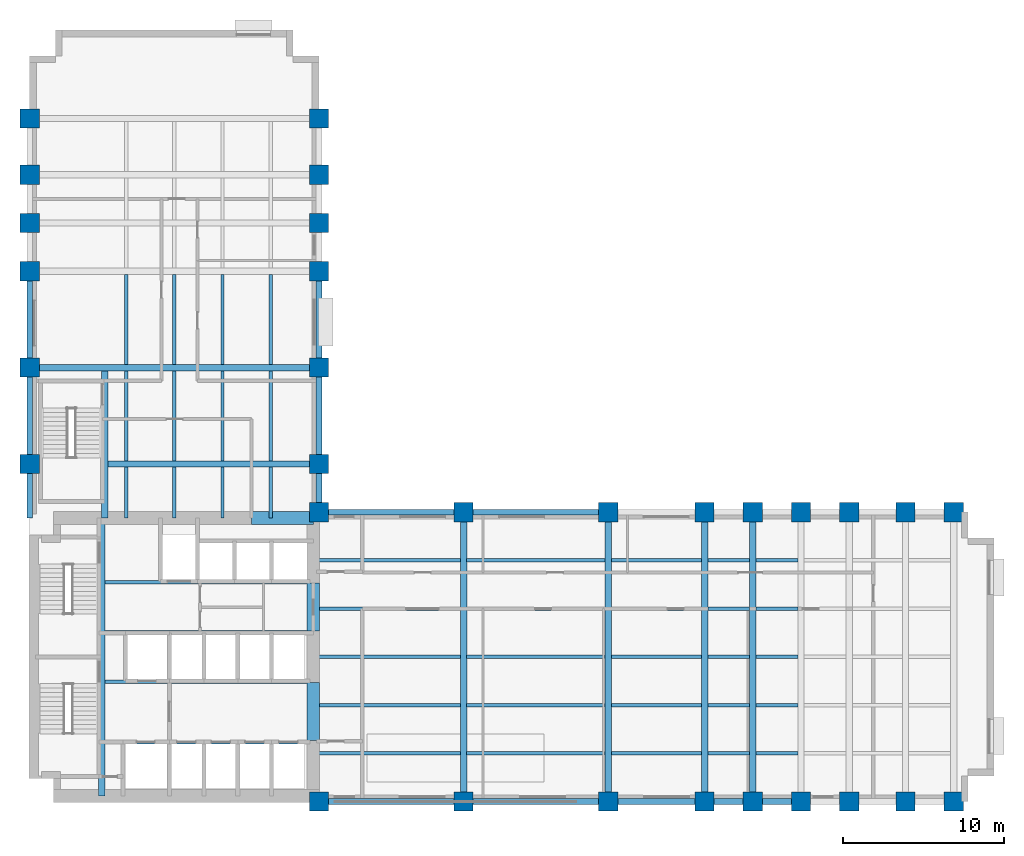
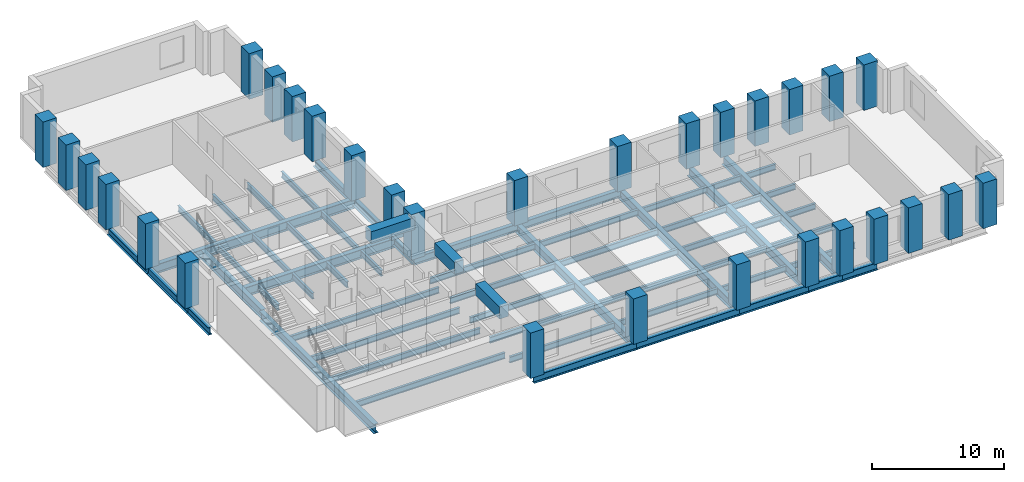
# One storey, part 1 of 8: 65 beams, 30 columns.
"""IFC4 building model written with IfcOpenShell, lengths in metres."""

from ifc_helpers import new_model, si_unit, direction, frame, origin, origin_2d, place, context, subcontext, project, spatial, rectangle, i_section, extrude, material, material_profile, profile_set, type_object, element, save


model = new_model("IFC4")

# Units and contexts
model_context = context("Model", 3, precision=1e-05, world=origin(), true_north=direction((0.0, 1.0)))
body_context = subcontext(model_context, "Body", "Model", "MODEL_VIEW")
ifc_project = project(units=[si_unit("LENGTHUNIT", "METRE"), si_unit("AREAUNIT", "SQUARE_METRE"), si_unit("VOLUMEUNIT", "CUBIC_METRE"), si_unit("PLANEANGLEUNIT", "RADIAN"), si_unit("MASSUNIT", "GRAM", prefix="KILO")], contexts=[model_context])

# Site, building, storey
site_placement = place(None, origin())
site = spatial("IfcSite", under=ifc_project, at=site_placement, CompositionType="ELEMENT")
building_placement = place(site_placement, origin())
building = spatial("IfcBuilding", under=site, at=building_placement, Name="Mawjdan Bourse Tower", CompositionType="ELEMENT")
storey_placement = place(building_placement, frame((0.0, 0.0, 63.60009765625)))
storey = spatial("IfcBuildingStorey", under=building, at=storey_placement, Name="L14", CompositionType="ELEMENT", Elevation=63.60009765625)

# Columns
ifc_material_1 = material(Name="Concrete C80/95", Category="concrete")
ifc_material_profile_1 = material_profile(ifc_material_1, rectangle(XDim=1.199951171875, YDim=1.199951171875, at=origin_2d()), Name="RC1200X1200")
ifc_profile_set_1 = profile_set([ifc_material_profile_1], Name="Concrete C80/95")
column_type = type_object("IfcColumnType", Name="COL-RC1200X1200", PredefinedType="COLUMN", material=ifc_profile_set_1)
for number, where, z_axis, x_axis, name in (
    (1, (24.0, 3.0, 0.0), (0.0, 0.0, 1.0), (1.0, 0.0, 0.0), "L14 Structural Column C-X240-Y30"),
    (2, (24.0, 21.0, 0.0), (0.0, 0.0, 1.0), (1.0, 0.0, 0.0), "L14 Structural Column C-X240-Y210"),
    (3, (33.0, 3.0, 0.0), (0.0, 0.0, 1.0), (1.0, 0.0, 0.0), "L14 Structural Column C-X330-Y30"),
    (4, (33.0, 21.0, 0.0), (0.0, 0.0, 1.0), (1.0, 0.0, 0.0), "L14 Structural Column C-X330-Y210"),
    (5, (42.0, 3.0, 0.0), (0.0, 0.0, 1.0), (1.0, 0.0, 0.0), "L14 Structural Column C-X420-Y30"),
    (6, (42.0, 21.0, 0.0), (0.0, 0.0, 1.0), (1.0, 0.0, 0.0), "L14 Structural Column C-X420-Y210"),
    (7, (48.0, 3.0, 0.0), (0.0, 0.0, 1.0), (1.0, 0.0, 0.0), "L14 Structural Column C-X480-Y30"),
    (8, (48.0, 21.0, 0.0), (0.0, 0.0, 1.0), (1.0, 0.0, 0.0), "L14 Structural Column C-X480-Y210"),
    (9, (51.0, 3.0, 0.0), (0.0, 0.0, 1.0), (1.0, 0.0, 0.0), "L14 Structural Column C-X510-Y30"),
    (10, (51.0, 21.0, 0.0), (0.0, 0.0, 1.0), (1.0, 0.0, 0.0), "L14 Structural Column C-X510-Y210"),
    (11, (54.0, 3.0, 0.0), (0.0, 0.0, 1.0), (1.0, 0.0, 0.0), "L14 Structural Column C-X540-Y30"),
    (12, (54.0, 21.0, 0.0), (0.0, 0.0, 1.0), (1.0, 0.0, 0.0), "L14 Structural Column C-X540-Y210"),
    (13, (57.0, 3.0, 0.0), (0.0, 0.0, 1.0), (1.0, 0.0, 0.0), "L14 Structural Column C-X570-Y30"),
    (14, (57.0, 21.0, 0.0), (0.0, 0.0, 1.0), (1.0, 0.0, 0.0), "L14 Structural Column C-X570-Y210"),
    (15, (60.5, 3.0, 0.0), (0.0, 0.0, 1.0), (1.0, 0.0, 0.0), "L14 Structural Column C-X605-Y30"),
    (16, (60.5, 21.0, 0.0), (0.0, 0.0, 1.0), (1.0, 0.0, 0.0), "L14 Structural Column C-X605-Y210"),
    (17, (63.5, 3.0, 0.0), (0.0, 0.0, 1.0), (1.0, 0.0, 0.0), "L14 Structural Column C-X635-Y30"),
    (18, (63.5, 21.0, 0.0), (0.0, 0.0, 1.0), (1.0, 0.0, 0.0), "L14 Structural Column C-X635-Y210"),
    (19, (6.0, 24.0, 0.0), (0.0, 0.0, 1.0), (1.0, 0.0, 0.0), "L14 Structural Column C-X60-Y240"),
    (20, (24.0, 24.0, 0.0), (0.0, 0.0, 1.0), (1.0, 0.0, 0.0), "L14 Structural Column C-X240-Y240"),
    (21, (6.0, 30.0, 0.0), (0.0, 0.0, 1.0), (1.0, 0.0, 0.0), "L14 Structural Column C-X60-Y300"),
    (22, (24.0, 30.0, 0.0), (0.0, 0.0, 1.0), (1.0, 0.0, 0.0), "L14 Structural Column C-X240-Y300"),
    (23, (6.0, 36.0, 0.0), (0.0, 0.0, 1.0), (1.0, 0.0, 0.0), "L14 Structural Column C-X60-Y360"),
    (24, (24.0, 36.0, 0.0), (0.0, 0.0, 1.0), (1.0, 0.0, 0.0), "L14 Structural Column C-X240-Y360"),
    (25, (6.0, 39.0, 0.0), (0.0, 0.0, 1.0), (1.0, 0.0, 0.0), "L14 Structural Column C-X60-Y390"),
    (26, (24.0, 39.0, 0.0), (0.0, 0.0, 1.0), (1.0, 0.0, 0.0), "L14 Structural Column C-X240-Y390"),
    (27, (6.0, 42.0, 0.0), (0.0, 0.0, 1.0), (1.0, 0.0, 0.0), "L14 Structural Column C-X60-Y420"),
    (28, (24.0, 42.0, 0.0), (0.0, 0.0, 1.0), (1.0, 0.0, 0.0), "L14 Structural Column C-X240-Y420"),
    (29, (6.0, 45.5, 0.0), (0.0, 0.0, 1.0), (1.0, 0.0, 0.0), "L14 Structural Column C-X60-Y455"),
    (30, (24.0, 45.5, 0.0), (0.0, 0.0, 1.0), (1.0, 0.0, 0.0), "L14 Structural Column C-X240-Y455"),
):
    element("IfcColumn", number, at=place(storey_placement, frame(where, z_axis=z_axis, x_axis=x_axis)), inside=storey, type_object=column_type, Name=name, PredefinedType="COLUMN", context=body_context, shape_type="SweptSolid", body=[
        extrude(rectangle(XDim=1.199951171875, YDim=1.199951171875, at=origin_2d()), origin(), (0.0, 0.0, 1.0), 4.199951171875),
    ])

# Beams
ifc_material_2 = material(Name="Structural Steel S355", Category="steel")
ifc_material_profile_2 = material_profile(ifc_material_2, i_section(OverallWidth=0.39892578125, OverallDepth=0.85595703125, WebThickness=0.018310546875, FlangeThickness=0.029296875, FilletRadius=0.0234375, at=origin_2d()), Name="W33X201")
ifc_profile_set_2 = profile_set([ifc_material_profile_2], Name="Structural Steel S355")
beam_type_1 = type_object("IfcBeamType", Name="GRD-W33X201", PredefinedType="BEAM", material=ifc_profile_set_2)
beam_1_placement = place(storey_placement, frame((10.47998046875, 3.35009765625, -0.648193359375), z_axis=(0.0, 1.0, 0.0), x_axis=(-1.0, 0.0, 0.0)))
element("IfcBeam", 31, at=beam_1_placement, inside=storey, type_object=beam_type_1, Name="L14 Core Stair Trimmer Girder 001", PredefinedType="BEAM", context=body_context, shape_type="SweptSolid", body=[
    extrude(i_section(OverallWidth=0.39892578125, OverallDepth=0.85595703125, WebThickness=0.018310546875, FlangeThickness=0.029296875, FilletRadius=0.0234375, at=origin_2d()), origin(), (0.0, 0.0, 1.0), 17.2998046875),
])
for number, where, z_axis, x_axis, name in (
    (32, (33.0, 3.0, -0.648193359375), (0.0, 1.0, 0.0), (-1.0, 0.0, 0.0), "L14 East Wing Clear-Span Girder 002"),
    (33, (42.0, 3.0, -0.648193359375), (0.0, 1.0, 0.0), (-1.0, 0.0, 0.0), "L14 East Wing Clear-Span Girder 003"),
    (34, (48.0, 3.0, -0.648193359375), (0.0, 1.0, 0.0), (-1.0, 0.0, 0.0), "L14 East Wing Clear-Span Girder 004"),
    (35, (51.0, 3.0, -0.648193359375), (0.0, 1.0, 0.0), (-1.0, 0.0, 0.0), "L14 East Wing Clear-Span Girder 005"),
):
    element("IfcBeam", number, at=place(storey_placement, frame(where, z_axis=z_axis, x_axis=x_axis)), inside=storey, type_object=beam_type_1, Name=name, PredefinedType="BEAM", context=body_context, shape_type="SweptSolid", body=[
        extrude(i_section(OverallWidth=0.39892578125, OverallDepth=0.85595703125, WebThickness=0.018310546875, FlangeThickness=0.029296875, FilletRadius=0.0234375, at=origin_2d()), origin(), (0.0, 0.0, 1.0), 18.0),
    ])
beam_2_placement = place(storey_placement, frame((10.679931640625, 20.64990234375, -0.648193359375), z_axis=(0.0, 1.0, 0.0), x_axis=(-1.0, 0.0, 0.0)))
element("IfcBeam", 36, at=beam_2_placement, inside=storey, type_object=beam_type_1, Name="L14 North Wing Stair Trimmer Girder 070", PredefinedType="BEAM", context=body_context, shape_type="SweptSolid", body=[
    extrude(i_section(OverallWidth=0.39892578125, OverallDepth=0.85595703125, WebThickness=0.018310546875, FlangeThickness=0.029296875, FilletRadius=0.0234375, at=origin_2d()), origin(), (0.0, 0.0, 1.0), 9.152587890625),
])
beam_3_placement = place(storey_placement, frame((10.87744140625, 24.0, -0.648193359375), z_axis=(1.0, 0.0, 0.0), x_axis=(0.0, 1.0, 0.0)))
element("IfcBeam", 37, at=beam_3_placement, inside=storey, type_object=beam_type_1, Name="L14 North Wing Clear-Span Girder 071", PredefinedType="BEAM", context=body_context, shape_type="SweptSolid", body=[
    extrude(i_section(OverallWidth=0.39892578125, OverallDepth=0.85595703125, WebThickness=0.018310546875, FlangeThickness=0.029296875, FilletRadius=0.0234375, at=origin_2d()), origin(), (0.0, 0.0, 1.0), 13.12255859375),
])
beam_4_placement = place(storey_placement, frame((6.0, 30.0, -0.648193359375), z_axis=(1.0, 0.0, 0.0), x_axis=(0.0, 1.0, 0.0)))
element("IfcBeam", 38, at=beam_4_placement, inside=storey, type_object=beam_type_1, Name="L14 North Wing Clear-Span Girder 072", PredefinedType="BEAM", context=body_context, shape_type="SweptSolid", body=[
    extrude(i_section(OverallWidth=0.39892578125, OverallDepth=0.85595703125, WebThickness=0.018310546875, FlangeThickness=0.029296875, FilletRadius=0.0234375, at=origin_2d()), origin(), (0.0, 0.0, 1.0), 18.0),
])
ifc_material_profile_3 = material_profile(ifc_material_2, i_section(OverallWidth=0.2119140625, OverallDepth=0.5439453125, WebThickness=0.01318359375, FlangeThickness=0.021240234375, FilletRadius=0.01708984375, at=origin_2d()), Name="W21X83")
ifc_profile_set_3 = profile_set([ifc_material_profile_3], Name="Structural Steel S355")
beam_type_2 = type_object("IfcBeamType", Name="JST-W21X83", PredefinedType="JOIST", material=ifc_profile_set_3)
beam_5_placement = place(storey_placement, frame((23.64990234375, 6.0, -0.4921875), z_axis=(1.0, 0.0, 0.0), x_axis=(0.0, 1.0, 0.0)))
element("IfcBeam", 39, at=beam_5_placement, inside=storey, type_object=beam_type_2, Name="L14 East Wing Composite Joist 026", PredefinedType="JOIST", context=body_context, shape_type="SweptSolid", body=[
    extrude(i_section(OverallWidth=0.2119140625, OverallDepth=0.5439453125, WebThickness=0.01318359375, FlangeThickness=0.021240234375, FilletRadius=0.01708984375, at=origin_2d()), origin(), (0.0, 0.0, 1.0), 9.152587890625),
])
beam_6_placement = place(storey_placement, frame((33.197509765625, 6.0, -0.4921875), z_axis=(1.0, 0.0, 0.0), x_axis=(0.0, 1.0, 0.0)))
element("IfcBeam", 40, at=beam_6_placement, inside=storey, type_object=beam_type_2, Name="L14 East Wing Composite Joist 027", PredefinedType="JOIST", context=body_context, shape_type="SweptSolid", body=[
    extrude(i_section(OverallWidth=0.2119140625, OverallDepth=0.5439453125, WebThickness=0.01318359375, FlangeThickness=0.021240234375, FilletRadius=0.01708984375, at=origin_2d()), origin(), (0.0, 0.0, 1.0), 8.60498046875),
])
beam_7_placement = place(storey_placement, frame((42.197509765625, 6.0, -0.4921875), z_axis=(1.0, 0.0, 0.0), x_axis=(0.0, 1.0, 0.0)))
element("IfcBeam", 41, at=beam_7_placement, inside=storey, type_object=beam_type_2, Name="L14 East Wing Composite Joist 028", PredefinedType="JOIST", context=body_context, shape_type="SweptSolid", body=[
    extrude(i_section(OverallWidth=0.2119140625, OverallDepth=0.5439453125, WebThickness=0.01318359375, FlangeThickness=0.021240234375, FilletRadius=0.01708984375, at=origin_2d()), origin(), (0.0, 0.0, 1.0), 5.60498046875),
])
for number, where, z_axis, x_axis, name in (
    (42, (48.197509765625, 6.0, -0.4921875), (1.0, 0.0, 0.0), (0.0, 1.0, 0.0), "L14 East Wing Composite Joist 029"),
    (43, (51.197509765625, 6.0, -0.4921875), (1.0, 0.0, 0.0), (0.0, 1.0, 0.0), "L14 East Wing Composite Joist 030"),
):
    element("IfcBeam", number, at=place(storey_placement, frame(where, z_axis=z_axis, x_axis=x_axis)), inside=storey, type_object=beam_type_2, Name=name, PredefinedType="JOIST", context=body_context, shape_type="SweptSolid", body=[
        extrude(i_section(OverallWidth=0.2119140625, OverallDepth=0.5439453125, WebThickness=0.01318359375, FlangeThickness=0.021240234375, FilletRadius=0.01708984375, at=origin_2d()), origin(), (0.0, 0.0, 1.0), 2.60498046875),
    ])
beam_8_placement = place(storey_placement, frame((23.64990234375, 9.0, -0.4921875), z_axis=(1.0, 0.0, 0.0), x_axis=(0.0, 1.0, 0.0)))
element("IfcBeam", 44, at=beam_8_placement, inside=storey, type_object=beam_type_2, Name="L14 East Wing Composite Joist 034", PredefinedType="JOIST", context=body_context, shape_type="SweptSolid", body=[
    extrude(i_section(OverallWidth=0.2119140625, OverallDepth=0.5439453125, WebThickness=0.01318359375, FlangeThickness=0.021240234375, FilletRadius=0.01708984375, at=origin_2d()), origin(), (0.0, 0.0, 1.0), 9.152587890625),
])
beam_9_placement = place(storey_placement, frame((33.197509765625, 9.0, -0.4921875), z_axis=(1.0, 0.0, 0.0), x_axis=(0.0, 1.0, 0.0)))
element("IfcBeam", 45, at=beam_9_placement, inside=storey, type_object=beam_type_2, Name="L14 East Wing Composite Joist 035", PredefinedType="JOIST", context=body_context, shape_type="SweptSolid", body=[
    extrude(i_section(OverallWidth=0.2119140625, OverallDepth=0.5439453125, WebThickness=0.01318359375, FlangeThickness=0.021240234375, FilletRadius=0.01708984375, at=origin_2d()), origin(), (0.0, 0.0, 1.0), 8.60498046875),
])
beam_10_placement = place(storey_placement, frame((42.197509765625, 9.0, -0.4921875), z_axis=(1.0, 0.0, 0.0), x_axis=(0.0, 1.0, 0.0)))
element("IfcBeam", 46, at=beam_10_placement, inside=storey, type_object=beam_type_2, Name="L14 East Wing Composite Joist 036", PredefinedType="JOIST", context=body_context, shape_type="SweptSolid", body=[
    extrude(i_section(OverallWidth=0.2119140625, OverallDepth=0.5439453125, WebThickness=0.01318359375, FlangeThickness=0.021240234375, FilletRadius=0.01708984375, at=origin_2d()), origin(), (0.0, 0.0, 1.0), 5.60498046875),
])
for number, where, z_axis, x_axis, name in (
    (47, (48.197509765625, 9.0, -0.4921875), (1.0, 0.0, 0.0), (0.0, 1.0, 0.0), "L14 East Wing Composite Joist 037"),
    (48, (51.197509765625, 9.0, -0.4921875), (1.0, 0.0, 0.0), (0.0, 1.0, 0.0), "L14 East Wing Composite Joist 038"),
):
    element("IfcBeam", number, at=place(storey_placement, frame(where, z_axis=z_axis, x_axis=x_axis)), inside=storey, type_object=beam_type_2, Name=name, PredefinedType="JOIST", context=body_context, shape_type="SweptSolid", body=[
        extrude(i_section(OverallWidth=0.2119140625, OverallDepth=0.5439453125, WebThickness=0.01318359375, FlangeThickness=0.021240234375, FilletRadius=0.01708984375, at=origin_2d()), origin(), (0.0, 0.0, 1.0), 2.60498046875),
    ])
beam_11_placement = place(storey_placement, frame((23.64990234375, 12.0, -0.4921875), z_axis=(1.0, 0.0, 0.0), x_axis=(0.0, 1.0, 0.0)))
element("IfcBeam", 49, at=beam_11_placement, inside=storey, type_object=beam_type_2, Name="L14 East Wing Composite Joist 042", PredefinedType="JOIST", context=body_context, shape_type="SweptSolid", body=[
    extrude(i_section(OverallWidth=0.2119140625, OverallDepth=0.5439453125, WebThickness=0.01318359375, FlangeThickness=0.021240234375, FilletRadius=0.01708984375, at=origin_2d()), origin(), (0.0, 0.0, 1.0), 9.152587890625),
])
beam_12_placement = place(storey_placement, frame((33.197509765625, 12.0, -0.4921875), z_axis=(1.0, 0.0, 0.0), x_axis=(0.0, 1.0, 0.0)))
element("IfcBeam", 50, at=beam_12_placement, inside=storey, type_object=beam_type_2, Name="L14 East Wing Composite Joist 043", PredefinedType="JOIST", context=body_context, shape_type="SweptSolid", body=[
    extrude(i_section(OverallWidth=0.2119140625, OverallDepth=0.5439453125, WebThickness=0.01318359375, FlangeThickness=0.021240234375, FilletRadius=0.01708984375, at=origin_2d()), origin(), (0.0, 0.0, 1.0), 8.60498046875),
])
beam_13_placement = place(storey_placement, frame((42.197509765625, 12.0, -0.4921875), z_axis=(1.0, 0.0, 0.0), x_axis=(0.0, 1.0, 0.0)))
element("IfcBeam", 51, at=beam_13_placement, inside=storey, type_object=beam_type_2, Name="L14 East Wing Composite Joist 044", PredefinedType="JOIST", context=body_context, shape_type="SweptSolid", body=[
    extrude(i_section(OverallWidth=0.2119140625, OverallDepth=0.5439453125, WebThickness=0.01318359375, FlangeThickness=0.021240234375, FilletRadius=0.01708984375, at=origin_2d()), origin(), (0.0, 0.0, 1.0), 5.60498046875),
])
for number, where, z_axis, x_axis, name in (
    (52, (48.197509765625, 12.0, -0.4921875), (1.0, 0.0, 0.0), (0.0, 1.0, 0.0), "L14 East Wing Composite Joist 045"),
    (53, (51.197509765625, 12.0, -0.4921875), (1.0, 0.0, 0.0), (0.0, 1.0, 0.0), "L14 East Wing Composite Joist 046"),
):
    element("IfcBeam", number, at=place(storey_placement, frame(where, z_axis=z_axis, x_axis=x_axis)), inside=storey, type_object=beam_type_2, Name=name, PredefinedType="JOIST", context=body_context, shape_type="SweptSolid", body=[
        extrude(i_section(OverallWidth=0.2119140625, OverallDepth=0.5439453125, WebThickness=0.01318359375, FlangeThickness=0.021240234375, FilletRadius=0.01708984375, at=origin_2d()), origin(), (0.0, 0.0, 1.0), 2.60498046875),
    ])
beam_14_placement = place(storey_placement, frame((23.64990234375, 15.0, -0.4921875), z_axis=(1.0, 0.0, 0.0), x_axis=(0.0, 1.0, 0.0)))
element("IfcBeam", 54, at=beam_14_placement, inside=storey, type_object=beam_type_2, Name="L14 East Wing Composite Joist 050", PredefinedType="JOIST", context=body_context, shape_type="SweptSolid", body=[
    extrude(i_section(OverallWidth=0.2119140625, OverallDepth=0.5439453125, WebThickness=0.01318359375, FlangeThickness=0.021240234375, FilletRadius=0.01708984375, at=origin_2d()), origin(), (0.0, 0.0, 1.0), 9.152587890625),
])
beam_15_placement = place(storey_placement, frame((33.197509765625, 15.0, -0.4921875), z_axis=(1.0, 0.0, 0.0), x_axis=(0.0, 1.0, 0.0)))
element("IfcBeam", 55, at=beam_15_placement, inside=storey, type_object=beam_type_2, Name="L14 East Wing Composite Joist 051", PredefinedType="JOIST", context=body_context, shape_type="SweptSolid", body=[
    extrude(i_section(OverallWidth=0.2119140625, OverallDepth=0.5439453125, WebThickness=0.01318359375, FlangeThickness=0.021240234375, FilletRadius=0.01708984375, at=origin_2d()), origin(), (0.0, 0.0, 1.0), 8.60498046875),
])
beam_16_placement = place(storey_placement, frame((42.197509765625, 15.0, -0.4921875), z_axis=(1.0, 0.0, 0.0), x_axis=(0.0, 1.0, 0.0)))
element("IfcBeam", 56, at=beam_16_placement, inside=storey, type_object=beam_type_2, Name="L14 East Wing Composite Joist 052", PredefinedType="JOIST", context=body_context, shape_type="SweptSolid", body=[
    extrude(i_section(OverallWidth=0.2119140625, OverallDepth=0.5439453125, WebThickness=0.01318359375, FlangeThickness=0.021240234375, FilletRadius=0.01708984375, at=origin_2d()), origin(), (0.0, 0.0, 1.0), 5.60498046875),
])
for number, where, z_axis, x_axis, name in (
    (57, (48.197509765625, 15.0, -0.4921875), (1.0, 0.0, 0.0), (0.0, 1.0, 0.0), "L14 East Wing Composite Joist 053"),
    (58, (51.197509765625, 15.0, -0.4921875), (1.0, 0.0, 0.0), (0.0, 1.0, 0.0), "L14 East Wing Composite Joist 054"),
):
    element("IfcBeam", number, at=place(storey_placement, frame(where, z_axis=z_axis, x_axis=x_axis)), inside=storey, type_object=beam_type_2, Name=name, PredefinedType="JOIST", context=body_context, shape_type="SweptSolid", body=[
        extrude(i_section(OverallWidth=0.2119140625, OverallDepth=0.5439453125, WebThickness=0.01318359375, FlangeThickness=0.021240234375, FilletRadius=0.01708984375, at=origin_2d()), origin(), (0.0, 0.0, 1.0), 2.60498046875),
    ])
beam_17_placement = place(storey_placement, frame((23.64990234375, 18.0, -0.4921875), z_axis=(1.0, 0.0, 0.0), x_axis=(0.0, 1.0, 0.0)))
element("IfcBeam", 59, at=beam_17_placement, inside=storey, type_object=beam_type_2, Name="L14 East Wing Composite Joist 058", PredefinedType="JOIST", context=body_context, shape_type="SweptSolid", body=[
    extrude(i_section(OverallWidth=0.2119140625, OverallDepth=0.5439453125, WebThickness=0.01318359375, FlangeThickness=0.021240234375, FilletRadius=0.01708984375, at=origin_2d()), origin(), (0.0, 0.0, 1.0), 9.152587890625),
])
beam_18_placement = place(storey_placement, frame((33.197509765625, 18.0, -0.4921875), z_axis=(1.0, 0.0, 0.0), x_axis=(0.0, 1.0, 0.0)))
element("IfcBeam", 60, at=beam_18_placement, inside=storey, type_object=beam_type_2, Name="L14 East Wing Composite Joist 059", PredefinedType="JOIST", context=body_context, shape_type="SweptSolid", body=[
    extrude(i_section(OverallWidth=0.2119140625, OverallDepth=0.5439453125, WebThickness=0.01318359375, FlangeThickness=0.021240234375, FilletRadius=0.01708984375, at=origin_2d()), origin(), (0.0, 0.0, 1.0), 8.60498046875),
])
beam_19_placement = place(storey_placement, frame((42.197509765625, 18.0, -0.4921875), z_axis=(1.0, 0.0, 0.0), x_axis=(0.0, 1.0, 0.0)))
element("IfcBeam", 61, at=beam_19_placement, inside=storey, type_object=beam_type_2, Name="L14 East Wing Composite Joist 060", PredefinedType="JOIST", context=body_context, shape_type="SweptSolid", body=[
    extrude(i_section(OverallWidth=0.2119140625, OverallDepth=0.5439453125, WebThickness=0.01318359375, FlangeThickness=0.021240234375, FilletRadius=0.01708984375, at=origin_2d()), origin(), (0.0, 0.0, 1.0), 5.60498046875),
])
for number, where, z_axis, x_axis, name in (
    (62, (48.197509765625, 18.0, -0.4921875), (1.0, 0.0, 0.0), (0.0, 1.0, 0.0), "L14 East Wing Composite Joist 061"),
    (63, (51.197509765625, 18.0, -0.4921875), (1.0, 0.0, 0.0), (0.0, 1.0, 0.0), "L14 East Wing Composite Joist 062"),
):
    element("IfcBeam", number, at=place(storey_placement, frame(where, z_axis=z_axis, x_axis=x_axis)), inside=storey, type_object=beam_type_2, Name=name, PredefinedType="JOIST", context=body_context, shape_type="SweptSolid", body=[
        extrude(i_section(OverallWidth=0.2119140625, OverallDepth=0.5439453125, WebThickness=0.01318359375, FlangeThickness=0.021240234375, FilletRadius=0.01708984375, at=origin_2d()), origin(), (0.0, 0.0, 1.0), 2.60498046875),
    ])
for number, where, z_axis, x_axis, name in (
    (64, (10.677490234375, 6.699951171875, -0.4921875), (1.0, 0.0, 0.0), (0.0, 1.0, 0.0), "L14 Core Floor Joist 066"),
    (65, (10.677490234375, 10.449951171875, -0.4921875), (1.0, 0.0, 0.0), (0.0, 1.0, 0.0), "L14 Core Floor Joist 067"),
    (66, (10.677490234375, 13.550048828125, -0.4921875), (1.0, 0.0, 0.0), (0.0, 1.0, 0.0), "L14 Core Floor Joist 068"),
    (67, (10.677490234375, 16.64990234375, -0.4921875), (1.0, 0.0, 0.0), (0.0, 1.0, 0.0), "L14 Core Floor Joist 069"),
):
    element("IfcBeam", number, at=place(storey_placement, frame(where, z_axis=z_axis, x_axis=x_axis)), inside=storey, type_object=beam_type_2, Name=name, PredefinedType="JOIST", context=body_context, shape_type="SweptSolid", body=[
        extrude(i_section(OverallWidth=0.2119140625, OverallDepth=0.5439453125, WebThickness=0.01318359375, FlangeThickness=0.021240234375, FilletRadius=0.01708984375, at=origin_2d()), origin(), (0.0, 0.0, 1.0), 12.972412109375),
    ])
beam_20_placement = place(storey_placement, frame((12.0, 20.64990234375, -0.4921875), z_axis=(0.0, 1.0, 0.0), x_axis=(-1.0, 0.0, 0.0)))
element("IfcBeam", 68, at=beam_20_placement, inside=storey, type_object=beam_type_2, Name="L14 North Wing Composite Joist 089", PredefinedType="JOIST", context=body_context, shape_type="SweptSolid", body=[
    extrude(i_section(OverallWidth=0.2119140625, OverallDepth=0.5439453125, WebThickness=0.01318359375, FlangeThickness=0.021240234375, FilletRadius=0.01708984375, at=origin_2d()), origin(), (0.0, 0.0, 1.0), 3.152587890625),
])
for number, where, z_axis, x_axis, name in (
    (69, (12.0, 24.197509765625, -0.4921875), (0.0, 1.0, 0.0), (-1.0, 0.0, 0.0), "L14 North Wing Composite Joist 090"),
    (70, (12.0, 30.197509765625, -0.4921875), (0.0, 1.0, 0.0), (-1.0, 0.0, 0.0), "L14 North Wing Composite Joist 091"),
):
    element("IfcBeam", number, at=place(storey_placement, frame(where, z_axis=z_axis, x_axis=x_axis)), inside=storey, type_object=beam_type_2, Name=name, PredefinedType="JOIST", context=body_context, shape_type="SweptSolid", body=[
        extrude(i_section(OverallWidth=0.2119140625, OverallDepth=0.5439453125, WebThickness=0.01318359375, FlangeThickness=0.021240234375, FilletRadius=0.01708984375, at=origin_2d()), origin(), (0.0, 0.0, 1.0), 5.60498046875),
    ])
beam_21_placement = place(storey_placement, frame((15.0, 20.64990234375, -0.4921875), z_axis=(0.0, 1.0, 0.0), x_axis=(-1.0, 0.0, 0.0)))
element("IfcBeam", 71, at=beam_21_placement, inside=storey, type_object=beam_type_2, Name="L14 North Wing Composite Joist 095", PredefinedType="JOIST", context=body_context, shape_type="SweptSolid", body=[
    extrude(i_section(OverallWidth=0.2119140625, OverallDepth=0.5439453125, WebThickness=0.01318359375, FlangeThickness=0.021240234375, FilletRadius=0.01708984375, at=origin_2d()), origin(), (0.0, 0.0, 1.0), 3.152587890625),
])
for number, where, z_axis, x_axis, name in (
    (72, (15.0, 24.197509765625, -0.4921875), (0.0, 1.0, 0.0), (-1.0, 0.0, 0.0), "L14 North Wing Composite Joist 096"),
    (73, (15.0, 30.197509765625, -0.4921875), (0.0, 1.0, 0.0), (-1.0, 0.0, 0.0), "L14 North Wing Composite Joist 097"),
):
    element("IfcBeam", number, at=place(storey_placement, frame(where, z_axis=z_axis, x_axis=x_axis)), inside=storey, type_object=beam_type_2, Name=name, PredefinedType="JOIST", context=body_context, shape_type="SweptSolid", body=[
        extrude(i_section(OverallWidth=0.2119140625, OverallDepth=0.5439453125, WebThickness=0.01318359375, FlangeThickness=0.021240234375, FilletRadius=0.01708984375, at=origin_2d()), origin(), (0.0, 0.0, 1.0), 5.60498046875),
    ])
beam_22_placement = place(storey_placement, frame((18.0, 20.64990234375, -0.4921875), z_axis=(0.0, 1.0, 0.0), x_axis=(-1.0, 0.0, 0.0)))
element("IfcBeam", 74, at=beam_22_placement, inside=storey, type_object=beam_type_2, Name="L14 North Wing Composite Joist 101", PredefinedType="JOIST", context=body_context, shape_type="SweptSolid", body=[
    extrude(i_section(OverallWidth=0.2119140625, OverallDepth=0.5439453125, WebThickness=0.01318359375, FlangeThickness=0.021240234375, FilletRadius=0.01708984375, at=origin_2d()), origin(), (0.0, 0.0, 1.0), 3.152587890625),
])
for number, where, z_axis, x_axis, name in (
    (75, (18.0, 24.197509765625, -0.4921875), (0.0, 1.0, 0.0), (-1.0, 0.0, 0.0), "L14 North Wing Composite Joist 102"),
    (76, (18.0, 30.197509765625, -0.4921875), (0.0, 1.0, 0.0), (-1.0, 0.0, 0.0), "L14 North Wing Composite Joist 103"),
):
    element("IfcBeam", number, at=place(storey_placement, frame(where, z_axis=z_axis, x_axis=x_axis)), inside=storey, type_object=beam_type_2, Name=name, PredefinedType="JOIST", context=body_context, shape_type="SweptSolid", body=[
        extrude(i_section(OverallWidth=0.2119140625, OverallDepth=0.5439453125, WebThickness=0.01318359375, FlangeThickness=0.021240234375, FilletRadius=0.01708984375, at=origin_2d()), origin(), (0.0, 0.0, 1.0), 5.60498046875),
    ])
beam_23_placement = place(storey_placement, frame((21.0, 20.64990234375, -0.4921875), z_axis=(0.0, 1.0, 0.0), x_axis=(-1.0, 0.0, 0.0)))
element("IfcBeam", 77, at=beam_23_placement, inside=storey, type_object=beam_type_2, Name="L14 North Wing Composite Joist 107", PredefinedType="JOIST", context=body_context, shape_type="SweptSolid", body=[
    extrude(i_section(OverallWidth=0.2119140625, OverallDepth=0.5439453125, WebThickness=0.01318359375, FlangeThickness=0.021240234375, FilletRadius=0.01708984375, at=origin_2d()), origin(), (0.0, 0.0, 1.0), 3.152587890625),
])
for number, where, z_axis, x_axis, name in (
    (78, (21.0, 24.197509765625, -0.4921875), (0.0, 1.0, 0.0), (-1.0, 0.0, 0.0), "L14 North Wing Composite Joist 108"),
    (79, (21.0, 30.197509765625, -0.4921875), (0.0, 1.0, 0.0), (-1.0, 0.0, 0.0), "L14 North Wing Composite Joist 109"),
):
    element("IfcBeam", number, at=place(storey_placement, frame(where, z_axis=z_axis, x_axis=x_axis)), inside=storey, type_object=beam_type_2, Name=name, PredefinedType="JOIST", context=body_context, shape_type="SweptSolid", body=[
        extrude(i_section(OverallWidth=0.2119140625, OverallDepth=0.5439453125, WebThickness=0.01318359375, FlangeThickness=0.021240234375, FilletRadius=0.01708984375, at=origin_2d()), origin(), (0.0, 0.0, 1.0), 5.60498046875),
    ])
ifc_material_3 = material(Name="Concrete C70/85", Category="concrete")
ifc_material_profile_4 = material_profile(ifc_material_3, rectangle(XDim=0.800048828125, YDim=1.10009765625, at=origin_2d()), Name="RCB800X1100")
ifc_profile_set_4 = profile_set([ifc_material_profile_4], Name="Concrete C70/85")
beam_type_3 = type_object("IfcBeamType", Name="LNT-RCB800X1100", PredefinedType="LINTEL", material=ifc_profile_set_4)
beam_24_placement = place(storey_placement, frame((23.64990234375, 6.800048828125, 3.429931640625), z_axis=(0.0, 1.0, 0.0), x_axis=(-1.0, 0.0, 0.0)))
element("IfcBeam", 80, at=beam_24_placement, inside=storey, type_object=beam_type_3, Name="L14 Coupled Core Lintel CB-E1", PredefinedType="LINTEL", context=body_context, shape_type="SweptSolid", body=[
    extrude(rectangle(XDim=0.800048828125, YDim=1.10009765625, at=origin_2d()), origin(), (0.0, 0.0, 1.0), 3.599853515625),
])
beam_25_placement = place(storey_placement, frame((23.64990234375, 13.60009765625, 3.429931640625), z_axis=(0.0, 1.0, 0.0), x_axis=(-1.0, 0.0, 0.0)))
element("IfcBeam", 81, at=beam_25_placement, inside=storey, type_object=beam_type_3, Name="L14 Coupled Core Lintel CB-E2", PredefinedType="LINTEL", context=body_context, shape_type="SweptSolid", body=[
    extrude(rectangle(XDim=0.800048828125, YDim=1.10009765625, at=origin_2d()), origin(), (0.0, 0.0, 1.0), 3.0),
])
beam_26_placement = place(storey_placement, frame((19.800048828125, 20.64990234375, 3.429931640625), z_axis=(1.0, 0.0, 0.0), x_axis=(0.0, 1.0, 0.0)))
element("IfcBeam", 82, at=beam_26_placement, inside=storey, type_object=beam_type_3, Name="L14 Coupled Core Lintel CB-N1", PredefinedType="LINTEL", context=body_context, shape_type="SweptSolid", body=[
    extrude(rectangle(XDim=0.800048828125, YDim=1.10009765625, at=origin_2d()), origin(), (0.0, 0.0, 1.0), 3.849853515625),
])
ifc_material_profile_5 = material_profile(ifc_material_2, i_section(OverallWidth=0.35498046875, OverallDepth=0.696044921875, WebThickness=0.015380859375, FlangeThickness=0.02490234375, FilletRadius=0.019775390625, at=origin_2d()), Name="W27X146")
ifc_profile_set_5 = profile_set([ifc_material_profile_5], Name="Structural Steel S355")
beam_type_4 = type_object("IfcBeamType", Name="SPN-W27X146", PredefinedType="SPANDREL", material=ifc_profile_set_5)
for number, where, z_axis, x_axis, name in (
    (83, (24.0, 3.0, -0.568115234375), (1.0, 0.0, 0.0), (0.0, 1.0, 0.0), "L14 Perimeter Masonry-Shelf Spandrel 010"),
    (84, (33.0, 3.0, -0.568115234375), (1.0, 0.0, 0.0), (0.0, 1.0, 0.0), "L14 Perimeter Masonry-Shelf Spandrel 011"),
):
    element("IfcBeam", number, at=place(storey_placement, frame(where, z_axis=z_axis, x_axis=x_axis)), inside=storey, type_object=beam_type_4, Name=name, PredefinedType="SPANDREL", context=body_context, shape_type="SweptSolid", body=[
        extrude(i_section(OverallWidth=0.35498046875, OverallDepth=0.696044921875, WebThickness=0.015380859375, FlangeThickness=0.02490234375, FilletRadius=0.019775390625, at=origin_2d()), origin(), (0.0, 0.0, 1.0), 9.0),
    ])
beam_27_placement = place(storey_placement, frame((42.0, 3.0, -0.568115234375), z_axis=(1.0, 0.0, 0.0), x_axis=(0.0, 1.0, 0.0)))
element("IfcBeam", 85, at=beam_27_placement, inside=storey, type_object=beam_type_4, Name="L14 Perimeter Masonry-Shelf Spandrel 012", PredefinedType="SPANDREL", context=body_context, shape_type="SweptSolid", body=[
    extrude(i_section(OverallWidth=0.35498046875, OverallDepth=0.696044921875, WebThickness=0.015380859375, FlangeThickness=0.02490234375, FilletRadius=0.019775390625, at=origin_2d()), origin(), (0.0, 0.0, 1.0), 6.0),
])
for number, where, z_axis, x_axis, name in (
    (86, (48.0, 3.0, -0.568115234375), (1.0, 0.0, 0.0), (0.0, 1.0, 0.0), "L14 Perimeter Masonry-Shelf Spandrel 013"),
    (87, (51.0, 3.0, -0.568115234375), (1.0, 0.0, 0.0), (0.0, 1.0, 0.0), "L14 Perimeter Masonry-Shelf Spandrel 014"),
):
    element("IfcBeam", number, at=place(storey_placement, frame(where, z_axis=z_axis, x_axis=x_axis)), inside=storey, type_object=beam_type_4, Name=name, PredefinedType="SPANDREL", context=body_context, shape_type="SweptSolid", body=[
        extrude(i_section(OverallWidth=0.35498046875, OverallDepth=0.696044921875, WebThickness=0.015380859375, FlangeThickness=0.02490234375, FilletRadius=0.019775390625, at=origin_2d()), origin(), (0.0, 0.0, 1.0), 3.0),
    ])
for number, where, z_axis, x_axis, name in (
    (88, (24.0, 21.0, -0.568115234375), (1.0, 0.0, 0.0), (0.0, 1.0, 0.0), "L14 Perimeter Masonry-Shelf Spandrel 018"),
    (89, (33.0, 21.0, -0.568115234375), (1.0, 0.0, 0.0), (0.0, 1.0, 0.0), "L14 Perimeter Masonry-Shelf Spandrel 019"),
):
    element("IfcBeam", number, at=place(storey_placement, frame(where, z_axis=z_axis, x_axis=x_axis)), inside=storey, type_object=beam_type_4, Name=name, PredefinedType="SPANDREL", context=body_context, shape_type="SweptSolid", body=[
        extrude(i_section(OverallWidth=0.35498046875, OverallDepth=0.696044921875, WebThickness=0.015380859375, FlangeThickness=0.02490234375, FilletRadius=0.019775390625, at=origin_2d()), origin(), (0.0, 0.0, 1.0), 9.0),
    ])
beam_28_placement = place(storey_placement, frame((6.0, 20.64990234375, -0.568115234375), z_axis=(0.0, 1.0, 0.0), x_axis=(-1.0, 0.0, 0.0)))
element("IfcBeam", 90, at=beam_28_placement, inside=storey, type_object=beam_type_4, Name="L14 North Wing Spandrel 077", PredefinedType="SPANDREL", context=body_context, shape_type="SweptSolid", body=[
    extrude(i_section(OverallWidth=0.35498046875, OverallDepth=0.696044921875, WebThickness=0.015380859375, FlangeThickness=0.02490234375, FilletRadius=0.019775390625, at=origin_2d()), origin(), (0.0, 0.0, 1.0), 3.35009765625),
])
for number, where, z_axis, x_axis, name in (
    (91, (6.0, 24.0, -0.568115234375), (0.0, 1.0, 0.0), (-1.0, 0.0, 0.0), "L14 North Wing Spandrel 078"),
    (92, (6.0, 30.0, -0.568115234375), (0.0, 1.0, 0.0), (-1.0, 0.0, 0.0), "L14 North Wing Spandrel 079"),
):
    element("IfcBeam", number, at=place(storey_placement, frame(where, z_axis=z_axis, x_axis=x_axis)), inside=storey, type_object=beam_type_4, Name=name, PredefinedType="SPANDREL", context=body_context, shape_type="SweptSolid", body=[
        extrude(i_section(OverallWidth=0.35498046875, OverallDepth=0.696044921875, WebThickness=0.015380859375, FlangeThickness=0.02490234375, FilletRadius=0.019775390625, at=origin_2d()), origin(), (0.0, 0.0, 1.0), 6.0),
    ])
beam_29_placement = place(storey_placement, frame((24.0, 21.0, -0.568115234375), z_axis=(0.0, 1.0, 0.0), x_axis=(-1.0, 0.0, 0.0)))
element("IfcBeam", 93, at=beam_29_placement, inside=storey, type_object=beam_type_4, Name="L14 North Wing Spandrel 083", PredefinedType="SPANDREL", context=body_context, shape_type="SweptSolid", body=[
    extrude(i_section(OverallWidth=0.35498046875, OverallDepth=0.696044921875, WebThickness=0.015380859375, FlangeThickness=0.02490234375, FilletRadius=0.019775390625, at=origin_2d()), origin(), (0.0, 0.0, 1.0), 3.0),
])
for number, where, z_axis, x_axis, name in (
    (94, (24.0, 24.0, -0.568115234375), (0.0, 1.0, 0.0), (-1.0, 0.0, 0.0), "L14 North Wing Spandrel 084"),
    (95, (24.0, 30.0, -0.568115234375), (0.0, 1.0, 0.0), (-1.0, 0.0, 0.0), "L14 North Wing Spandrel 085"),
):
    element("IfcBeam", number, at=place(storey_placement, frame(where, z_axis=z_axis, x_axis=x_axis)), inside=storey, type_object=beam_type_4, Name=name, PredefinedType="SPANDREL", context=body_context, shape_type="SweptSolid", body=[
        extrude(i_section(OverallWidth=0.35498046875, OverallDepth=0.696044921875, WebThickness=0.015380859375, FlangeThickness=0.02490234375, FilletRadius=0.019775390625, at=origin_2d()), origin(), (0.0, 0.0, 1.0), 6.0),
    ])

save(model, "model.ifc")
